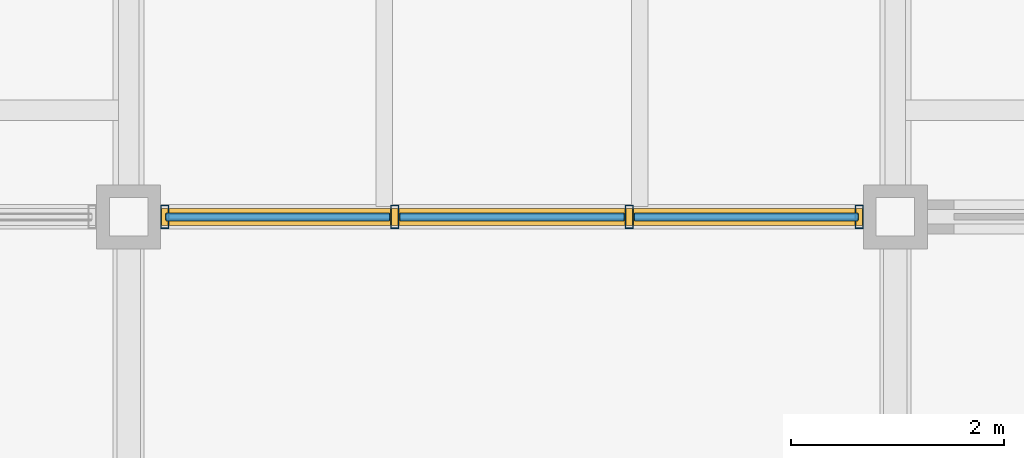
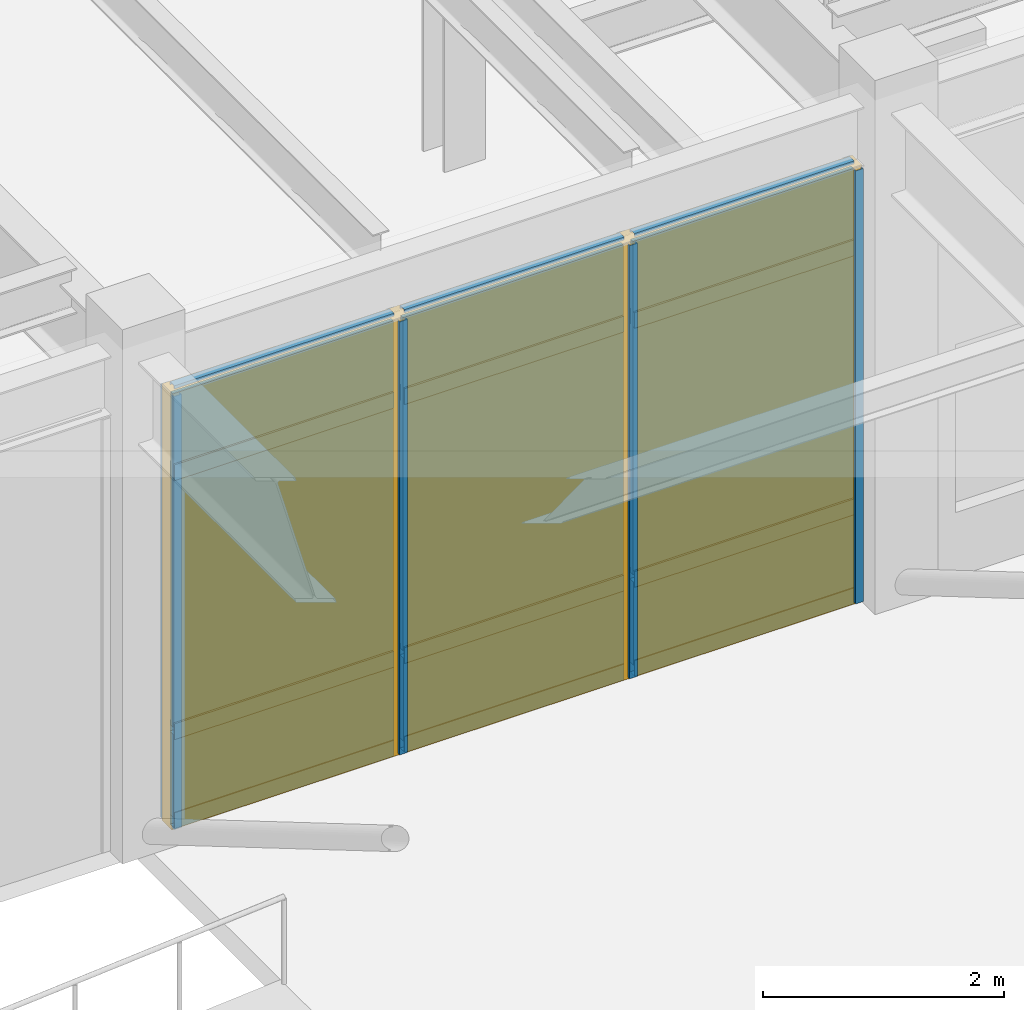
# One storey, part 54 of 97: 16 members, 6 plates, 1 curtain wall.
"""IFC4 building model written with IfcOpenShell, lengths in metres."""

from ifc_helpers import new_model, si_unit, direction, frame, origin, origin_2d, place, context, subcontext, project, spatial, rectangle, hollow_rectangle, extrude, material, layer, layer_set, material_profile, profile_set, type_object, element, aggregate, save


model = new_model("IFC4")

# Units and contexts
model_context = context("Model", 3, precision=1e-05, world=origin(), true_north=direction((0.0, 1.0)))
body_context = subcontext(model_context, "Body", "Model", "MODEL_VIEW")
ifc_project = project(units=[si_unit("LENGTHUNIT", "METRE"), si_unit("AREAUNIT", "SQUARE_METRE"), si_unit("VOLUMEUNIT", "CUBIC_METRE"), si_unit("PLANEANGLEUNIT", "RADIAN"), si_unit("MASSUNIT", "GRAM", prefix="KILO")], contexts=[model_context])

# Member
ifc_material_1 = material(Name="Anodized Aluminium 6063-T6", Category="aluminium")
ifc_material_profile_1 = material_profile(ifc_material_1, hollow_rectangle(XDim=0.074951171875, YDim=0.219970703125, WallThickness=0.0048828125, at=origin_2d()), Name="ALU 75x220x5")
ifc_profile_set_1 = profile_set([ifc_material_profile_1], Name="Anodized Aluminium 6063-T6")
member_type_1 = type_object("IfcMemberType", Name="CWM-75X180", PredefinedType="MULLION", material=ifc_profile_set_1)
site_placement = place(None, origin())
building_placement = place(site_placement, origin())
storey_placement = place(building_placement, origin())
member_1_placement = place(storey_placement, frame((86.06005859375, 7.199951171875, 0.02001953125), z_axis=(0.0, 0.0, 1.0), x_axis=(1.0, 0.0, 0.0)))
member_1 = element("IfcMember", 1, at=member_1_placement, type_object=member_type_1, Name="Curtain wall mullion CW-L01-11-01-S-00", PredefinedType="MULLION", context=body_context, shape_type="SweptSolid", body=[
    extrude(hollow_rectangle(XDim=0.074951171875, YDim=0.219970703125, WallThickness=0.0048828125, at=origin_2d()), origin(), (0.0, 0.0, 1.0), 4.3779296875),
])

member_2_placement = place(storey_placement, frame((83.89990234375, 7.199951171875, 0.02001953125), z_axis=(0.0, 0.0, 1.0), x_axis=(1.0, 0.0, 0.0)))
member_2 = element("IfcMember", 2, at=member_2_placement, type_object=member_type_1, Name="Curtain wall mullion CW-L01-11-01-S-01", PredefinedType="MULLION", context=body_context, shape_type="SweptSolid", body=[
    extrude(hollow_rectangle(XDim=0.074951171875, YDim=0.219970703125, WallThickness=0.0048828125, at=origin_2d()), origin(), (0.0, 0.0, 1.0), 4.3779296875),
])

member_3_placement = place(storey_placement, frame((81.699951171875, 7.199951171875, 0.02001953125), z_axis=(0.0, 0.0, 1.0), x_axis=(1.0, 0.0, 0.0)))
member_3 = element("IfcMember", 3, at=member_3_placement, type_object=member_type_1, Name="Curtain wall mullion CW-L01-11-01-S-02", PredefinedType="MULLION", context=body_context, shape_type="SweptSolid", body=[
    extrude(hollow_rectangle(XDim=0.074951171875, YDim=0.219970703125, WallThickness=0.0048828125, at=origin_2d()), origin(), (0.0, 0.0, 1.0), 4.3779296875),
])

member_4_placement = place(storey_placement, frame((79.5400390625, 7.199951171875, 0.02001953125), z_axis=(0.0, 0.0, 1.0), x_axis=(1.0, 0.0, 0.0)))
member_4 = element("IfcMember", 4, at=member_4_placement, type_object=member_type_1, Name="Curtain wall mullion CW-L01-11-01-S-03", PredefinedType="MULLION", context=body_context, shape_type="SweptSolid", body=[
    extrude(hollow_rectangle(XDim=0.074951171875, YDim=0.219970703125, WallThickness=0.0048828125, at=origin_2d()), origin(), (0.0, 0.0, 1.0), 4.3779296875),
])

ifc_material_profile_2 = material_profile(ifc_material_1, hollow_rectangle(XDim=0.074951171875, YDim=0.159912109375, WallThickness=0.00390625, at=origin_2d()), Name="ALU 75x160x4")
ifc_profile_set_2 = profile_set([ifc_material_profile_2], Name="Anodized Aluminium 6063-T6")
member_type_2 = type_object("IfcMemberType", Name="CWT-75X150", PredefinedType="USERDEFINED", material=ifc_profile_set_2)
member_5_placement = place(storey_placement, frame((86.050048828125, 7.199951171875, 0.050048828125), z_axis=(-1.0, 0.0, 0.0), x_axis=(0.0, -1.0, 0.0)))
member_5 = element("IfcMember", 5, at=member_5_placement, type_object=member_type_2, Name="Curtain wall transom CW-L01-11-01-S-1.01", ObjectType="TRANSOM", PredefinedType="USERDEFINED", context=body_context, shape_type="SweptSolid", body=[
    extrude(hollow_rectangle(XDim=0.074951171875, YDim=0.159912109375, WallThickness=0.00390625, at=origin_2d()), origin(), (0.0, 0.0, 1.0), 2.10009765625),
])

member_6_placement = place(storey_placement, frame((83.85009765625, 7.199951171875, 0.050048828125), z_axis=(-1.0, 0.0, 0.0), x_axis=(0.0, -1.0, 0.0)))
member_6 = element("IfcMember", 6, at=member_6_placement, type_object=member_type_2, Name="Curtain wall transom CW-L01-11-01-S-1.02", ObjectType="TRANSOM", PredefinedType="USERDEFINED", context=body_context, shape_type="SweptSolid", body=[
    extrude(hollow_rectangle(XDim=0.074951171875, YDim=0.159912109375, WallThickness=0.00390625, at=origin_2d()), origin(), (0.0, 0.0, 1.0), 2.10009765625),
])

member_7_placement = place(storey_placement, frame((81.64990234375, 7.199951171875, 0.050048828125), z_axis=(-1.0, 0.0, 0.0), x_axis=(0.0, -1.0, 0.0)))
member_7 = element("IfcMember", 7, at=member_7_placement, type_object=member_type_2, Name="Curtain wall transom CW-L01-11-01-S-1.03", ObjectType="TRANSOM", PredefinedType="USERDEFINED", context=body_context, shape_type="SweptSolid", body=[
    extrude(hollow_rectangle(XDim=0.074951171875, YDim=0.159912109375, WallThickness=0.00390625, at=origin_2d()), origin(), (0.0, 0.0, 1.0), 2.099853515625),
])

member_8_placement = place(storey_placement, frame((86.050048828125, 7.199951171875, 0.949951171875), z_axis=(-1.0, 0.0, 0.0), x_axis=(0.0, -1.0, 0.0)))
member_8 = element("IfcMember", 8, at=member_8_placement, type_object=member_type_2, Name="Curtain wall transom CW-L01-11-01-S-2.01", ObjectType="TRANSOM", PredefinedType="USERDEFINED", context=body_context, shape_type="SweptSolid", body=[
    extrude(hollow_rectangle(XDim=0.074951171875, YDim=0.159912109375, WallThickness=0.00390625, at=origin_2d()), origin(), (0.0, 0.0, 1.0), 2.10009765625),
])

member_9_placement = place(storey_placement, frame((83.85009765625, 7.199951171875, 0.949951171875), z_axis=(-1.0, 0.0, 0.0), x_axis=(0.0, -1.0, 0.0)))
member_9 = element("IfcMember", 9, at=member_9_placement, type_object=member_type_2, Name="Curtain wall transom CW-L01-11-01-S-2.02", ObjectType="TRANSOM", PredefinedType="USERDEFINED", context=body_context, shape_type="SweptSolid", body=[
    extrude(hollow_rectangle(XDim=0.074951171875, YDim=0.159912109375, WallThickness=0.00390625, at=origin_2d()), origin(), (0.0, 0.0, 1.0), 2.10009765625),
])

member_10_placement = place(storey_placement, frame((81.64990234375, 7.199951171875, 0.949951171875), z_axis=(-1.0, 0.0, 0.0), x_axis=(0.0, -1.0, 0.0)))
member_10 = element("IfcMember", 10, at=member_10_placement, type_object=member_type_2, Name="Curtain wall transom CW-L01-11-01-S-2.03", ObjectType="TRANSOM", PredefinedType="USERDEFINED", context=body_context, shape_type="SweptSolid", body=[
    extrude(hollow_rectangle(XDim=0.074951171875, YDim=0.159912109375, WallThickness=0.00390625, at=origin_2d()), origin(), (0.0, 0.0, 1.0), 2.099853515625),
])

member_11_placement = place(storey_placement, frame((86.050048828125, 7.199951171875, 3.568115234375), z_axis=(-1.0, 0.0, 0.0), x_axis=(0.0, -1.0, 0.0)))
member_11 = element("IfcMember", 11, at=member_11_placement, type_object=member_type_2, Name="Curtain wall transom CW-L01-11-01-S-3.01", ObjectType="TRANSOM", PredefinedType="USERDEFINED", context=body_context, shape_type="SweptSolid", body=[
    extrude(hollow_rectangle(XDim=0.074951171875, YDim=0.159912109375, WallThickness=0.00390625, at=origin_2d()), origin(), (0.0, 0.0, 1.0), 2.10009765625),
])

member_12_placement = place(storey_placement, frame((83.85009765625, 7.199951171875, 3.568115234375), z_axis=(-1.0, 0.0, 0.0), x_axis=(0.0, -1.0, 0.0)))
member_12 = element("IfcMember", 12, at=member_12_placement, type_object=member_type_2, Name="Curtain wall transom CW-L01-11-01-S-3.02", ObjectType="TRANSOM", PredefinedType="USERDEFINED", context=body_context, shape_type="SweptSolid", body=[
    extrude(hollow_rectangle(XDim=0.074951171875, YDim=0.159912109375, WallThickness=0.00390625, at=origin_2d()), origin(), (0.0, 0.0, 1.0), 2.10009765625),
])

member_13_placement = place(storey_placement, frame((81.64990234375, 7.199951171875, 3.568115234375), z_axis=(-1.0, 0.0, 0.0), x_axis=(0.0, -1.0, 0.0)))
member_13 = element("IfcMember", 13, at=member_13_placement, type_object=member_type_2, Name="Curtain wall transom CW-L01-11-01-S-3.03", ObjectType="TRANSOM", PredefinedType="USERDEFINED", context=body_context, shape_type="SweptSolid", body=[
    extrude(hollow_rectangle(XDim=0.074951171875, YDim=0.159912109375, WallThickness=0.00390625, at=origin_2d()), origin(), (0.0, 0.0, 1.0), 2.099853515625),
])

member_14_placement = place(storey_placement, frame((86.050048828125, 7.199951171875, 4.367919921875), z_axis=(-1.0, 0.0, 0.0), x_axis=(0.0, -1.0, 0.0)))
member_14 = element("IfcMember", 14, at=member_14_placement, type_object=member_type_2, Name="Curtain wall transom CW-L01-11-01-S-4.01", ObjectType="TRANSOM", PredefinedType="USERDEFINED", context=body_context, shape_type="SweptSolid", body=[
    extrude(hollow_rectangle(XDim=0.074951171875, YDim=0.159912109375, WallThickness=0.00390625, at=origin_2d()), origin(), (0.0, 0.0, 1.0), 2.10009765625),
])

member_15_placement = place(storey_placement, frame((83.85009765625, 7.199951171875, 4.367919921875), z_axis=(-1.0, 0.0, 0.0), x_axis=(0.0, -1.0, 0.0)))
member_15 = element("IfcMember", 15, at=member_15_placement, type_object=member_type_2, Name="Curtain wall transom CW-L01-11-01-S-4.02", ObjectType="TRANSOM", PredefinedType="USERDEFINED", context=body_context, shape_type="SweptSolid", body=[
    extrude(hollow_rectangle(XDim=0.074951171875, YDim=0.159912109375, WallThickness=0.00390625, at=origin_2d()), origin(), (0.0, 0.0, 1.0), 2.10009765625),
])

member_16_placement = place(storey_placement, frame((81.64990234375, 7.199951171875, 4.367919921875), z_axis=(-1.0, 0.0, 0.0), x_axis=(0.0, -1.0, 0.0)))
member_16 = element("IfcMember", 16, at=member_16_placement, type_object=member_type_2, Name="Curtain wall transom CW-L01-11-01-S-4.03", ObjectType="TRANSOM", PredefinedType="USERDEFINED", context=body_context, shape_type="SweptSolid", body=[
    extrude(hollow_rectangle(XDim=0.074951171875, YDim=0.159912109375, WallThickness=0.00390625, at=origin_2d()), origin(), (0.0, 0.0, 1.0), 2.099853515625),
])

# Plate
ifc_material_2 = material(Name="Acoustic Laminated Low-E Glazing", Category="glass")
ifc_layer_1 = layer(ifc_material_2, 0.0439453125)
ifc_layer_set_1 = layer_set([ifc_layer_1], Name="Acoustic Laminated Low-E Glazing")
plate_type_1 = type_object("IfcPlateType", Name="CWP-IGU-44", PredefinedType="CURTAIN_PANEL", material=ifc_layer_set_1)
plate_1_placement = place(storey_placement, frame((85.0, 7.199951171875, 0.990234375), z_axis=(0.0, 0.0, 1.0), x_axis=(-1.0, 0.0, 0.0)))
plate_1 = element("IfcPlate", 17, at=plate_1_placement, type_object=plate_type_1, Name="Curtain wall vision glazing CW-L01-11-01-S-01", PredefinedType="CURTAIN_PANEL", context=body_context, shape_type="SweptSolid", body=[
    extrude(rectangle(XDim=2.110107421875, YDim=0.0400390625, at=origin_2d()), origin(), (0.0, 0.0, 1.0), 3.367919921875),
])

plate_2_placement = place(storey_placement, frame((82.800048828125, 7.199951171875, 0.990234375), z_axis=(0.0, 0.0, 1.0), x_axis=(-1.0, 0.0, 0.0)))
plate_2 = element("IfcPlate", 18, at=plate_2_placement, type_object=plate_type_1, Name="Curtain wall vision glazing CW-L01-11-01-S-02", PredefinedType="CURTAIN_PANEL", context=body_context, shape_type="SweptSolid", body=[
    extrude(rectangle(XDim=2.110107421875, YDim=0.0400390625, at=origin_2d()), origin(), (0.0, 0.0, 1.0), 3.367919921875),
])

plate_3_placement = place(storey_placement, frame((80.60009765625, 7.199951171875, 0.990234375), z_axis=(0.0, 0.0, 1.0), x_axis=(-1.0, 0.0, 0.0)))
plate_3 = element("IfcPlate", 19, at=plate_3_placement, type_object=plate_type_1, Name="Curtain wall vision glazing CW-L01-11-01-S-03", PredefinedType="CURTAIN_PANEL", context=body_context, shape_type="SweptSolid", body=[
    extrude(rectangle(XDim=2.110107421875, YDim=0.0400390625, at=origin_2d()), origin(), (0.0, 0.0, 1.0), 3.367919921875),
])

ifc_material_3 = material(Name="Insulated Stone-Composite Spandrel", Category="masonry")
ifc_layer_2 = layer(ifc_material_3, 0.068115234375)
ifc_layer_set_2 = layer_set([ifc_layer_2], Name="Insulated Stone-Composite Spandrel")
plate_type_2 = type_object("IfcPlateType", Name="CWP-SPN-68", PredefinedType="CURTAIN_PANEL", material=ifc_layer_set_2)
plate_4_placement = place(storey_placement, frame((85.0, 7.199951171875, 0.080078125), z_axis=(0.0, 0.0, 1.0), x_axis=(-1.0, 0.0, 0.0)))
plate_4 = element("IfcPlate", 20, at=plate_4_placement, type_object=plate_type_2, Name="Curtain wall spandrel panel CW-L01-11-01-S-01", PredefinedType="CURTAIN_PANEL", context=body_context, shape_type="SweptSolid", body=[
    extrude(rectangle(XDim=2.110107421875, YDim=0.06005859375, at=origin_2d()), origin(), (0.0, 0.0, 1.0), 0.840087890625),
])

plate_5_placement = place(storey_placement, frame((82.800048828125, 7.199951171875, 0.080078125), z_axis=(0.0, 0.0, 1.0), x_axis=(-1.0, 0.0, 0.0)))
plate_5 = element("IfcPlate", 21, at=plate_5_placement, type_object=plate_type_2, Name="Curtain wall spandrel panel CW-L01-11-01-S-02", PredefinedType="CURTAIN_PANEL", context=body_context, shape_type="SweptSolid", body=[
    extrude(rectangle(XDim=2.110107421875, YDim=0.06005859375, at=origin_2d()), origin(), (0.0, 0.0, 1.0), 0.840087890625),
])

plate_6_placement = place(storey_placement, frame((80.60009765625, 7.199951171875, 0.080078125), z_axis=(0.0, 0.0, 1.0), x_axis=(-1.0, 0.0, 0.0)))
plate_6 = element("IfcPlate", 22, at=plate_6_placement, type_object=plate_type_2, Name="Curtain wall spandrel panel CW-L01-11-01-S-03", PredefinedType="CURTAIN_PANEL", context=body_context, shape_type="SweptSolid", body=[
    extrude(rectangle(XDim=2.110107421875, YDim=0.06005859375, at=origin_2d()), origin(), (0.0, 0.0, 1.0), 0.840087890625),
])

# Site, building, storey
site = spatial("IfcSite", under=ifc_project, at=site_placement, CompositionType="ELEMENT")
building = spatial("IfcBuilding", under=site, at=building_placement, Name="Sillqori Civic Hall", CompositionType="ELEMENT")
storey = spatial("IfcBuildingStorey", under=building, at=storey_placement, Name="L01", CompositionType="ELEMENT", Elevation=0.0)

# Curtain wall
ifc_material_4 = material(Name="Anodized Aluminium Curtain Wall System", Category="aluminium")
curtain_wall_type = type_object("IfcCurtainWallType", Name="CW-SF-480", PredefinedType="NOTDEFINED", material=ifc_material_4)
curtain_wall_placement = place(storey_placement, frame((82.800048828125, 7.199951171875, 0.0), z_axis=(0.0, 0.0, 1.0), x_axis=(-1.0, 0.0, 0.0)))
curtain_wall = element("IfcCurtainWall", 23, at=curtain_wall_placement, inside=storey, type_object=curtain_wall_type, Name="L01 unitised curtain wall CW-L01-11-01-S", PredefinedType="NOTDEFINED", context=body_context, shape_type="SweptSolid", body=[
    extrude(rectangle(XDim=6.60009765625, YDim=0.159912109375, at=origin_2d()), origin(), (0.0, 0.0, 1.0), 4.41796875),
])

aggregate(curtain_wall, [member_1, member_2, member_3, member_4, member_5, member_6, member_7, member_8, member_9, member_10, member_11, member_12, member_13, member_14, member_15, member_16, plate_4, plate_1, plate_5, plate_2, plate_6, plate_3])

save(model, "model.ifc")
